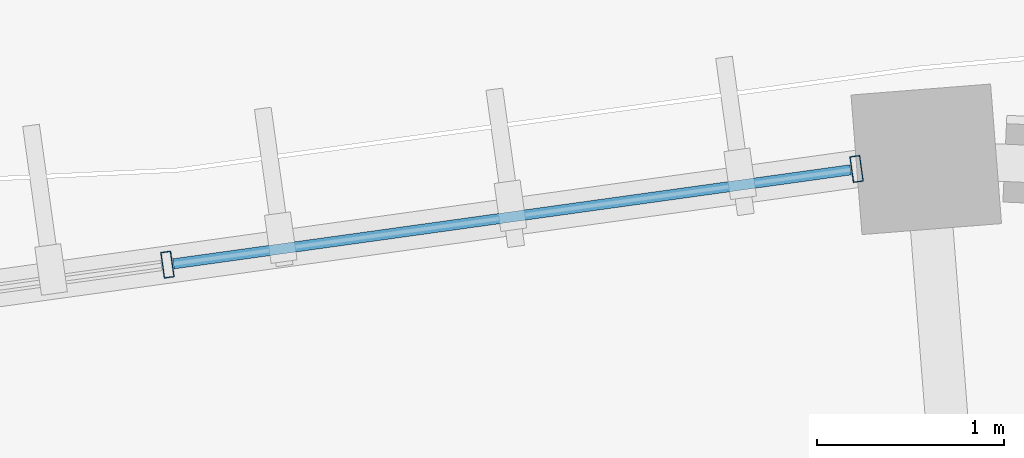
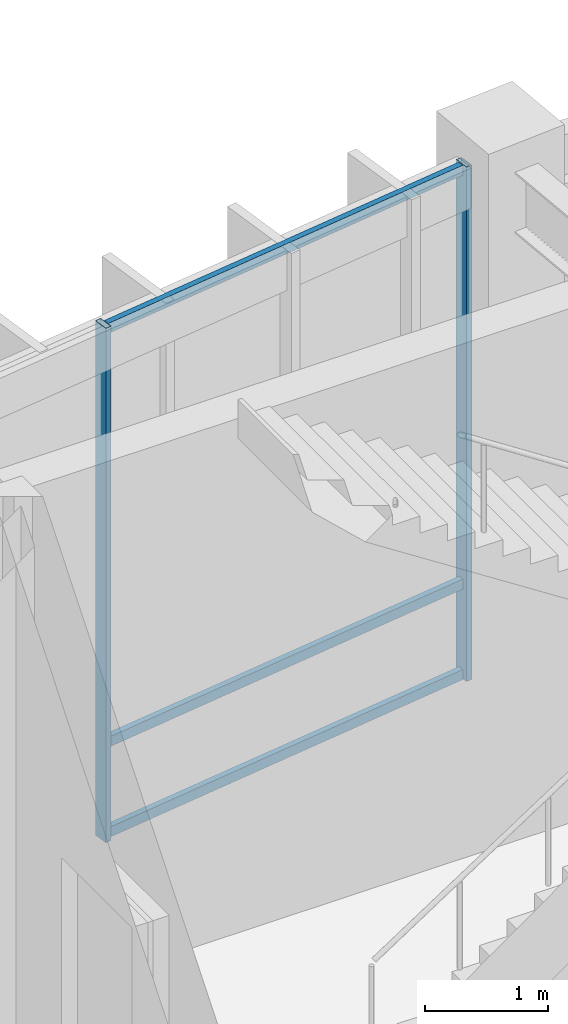
# One storey, part 75 of 157: 5 members, 1 element without a shape of its own.
"""IFC4 building model written with IfcOpenShell, lengths in metres."""

import ifcopenshell
import ifcopenshell.guid

model = None  # the IFC model being written
_history = None  # IfcOwnerHistory: only IFC2X3 demands one
_inside = {}  # id of a spatial element -> (the spatial element, [elements in it])
_under = {}  # id of a project, library or spatial element -> (it, [spatial elements below it])
_declared = {}  # id of a project -> (the project, [libraries it declares])
_typed = {}  # id of a type object -> (the type object, [elements of that type])
_made_of = {}  # id of a material, layer set ... -> (it, [elements and type objects made of it])


def new_model(schema):
    """Start an empty IFC model of exactly this schema.

    Asked for "IFC4X3", IfcOpenShell would pick the latest addendum, in which some entities
    have other attributes; the version numbers below select the first issue.
    IFC2X3 requires an IfcOwnerHistory on every rooted entity: one is made here for all.
    """
    global model, _history
    if schema == "IFC4X3":
        model = ifcopenshell.file(schema_version=(4, 3, 0, 0))
    else:
        model = ifcopenshell.file(schema=schema)
    _inside.clear()
    _under.clear()
    _declared.clear()
    _typed.clear()
    _made_of.clear()
    _history = None
    if model.schema == "IFC2X3":
        org = make("IfcOrganization", Name="unknown")
        user = make(
            "IfcPersonAndOrganization",
            ThePerson=make("IfcPerson", FamilyName="unknown"),
            TheOrganization=org,
        )
        app = make(
            "IfcApplication",
            ApplicationDeveloper=org,
            Version="unknown",
            ApplicationFullName="unknown",
            ApplicationIdentifier="unknown",
        )
        _history = make(
            "IfcOwnerHistory",
            OwningUser=user,
            OwningApplication=app,
            ChangeAction="ADDED",
            CreationDate=0,
        )
    return model


def make(cls, **values):
    """One entity of the class cls with the attributes given. An attribute that is None is left unset."""
    return model.create_entity(
        cls, **{name: value for name, value in values.items() if value is not None}
    )


def rooted(cls, **values):
    """An entity with a GlobalId (a new one), such as an element, a storey or a relation."""
    return make(cls, GlobalId=ifcopenshell.guid.new(), OwnerHistory=_history, **values)


def si_unit(unit_type, name, prefix=None):
    """IfcSIUnit, for example si_unit("LENGTHUNIT", "METRE", prefix="MILLI")."""
    return make("IfcSIUnit", UnitType=unit_type, Prefix=prefix, Name=name)


def assignment(units):
    """IfcUnitAssignment: the units of a project."""
    return None if units is None else make("IfcUnitAssignment", Units=units)


def point(xyz):
    """IfcCartesianPoint."""
    return None if xyz is None else make("IfcCartesianPoint", Coordinates=xyz)


def direction(xyz):
    """IfcDirection."""
    return None if xyz is None else make("IfcDirection", DirectionRatios=xyz)


def frame(location, z_axis=None, x_axis=None):
    """IfcAxis2Placement3D, a coordinate frame: its origin and axes. An axis left out is left unset."""
    return make(
        "IfcAxis2Placement3D",
        Location=point(location),
        Axis=direction(z_axis),
        RefDirection=direction(x_axis),
    )


def frame_2d(location, x_axis=None):
    """IfcAxis2Placement2D, a coordinate frame in the plane: its origin and x axis."""
    return make(
        "IfcAxis2Placement2D", Location=point(location), RefDirection=direction(x_axis)
    )


def origin():
    """The frame at (0, 0, 0) with its axes left unset."""
    return frame((0.0, 0.0, 0.0))


def origin_2d():
    """The frame at (0, 0) in the plane with its x axis left unset."""
    return frame_2d((0.0, 0.0))


def place(relative_to, where):
    """IfcLocalPlacement: puts the frame where relative to a parent placement (None: the world)."""
    return make(
        "IfcLocalPlacement", PlacementRelTo=relative_to, RelativePlacement=where
    )


def context(
    kind, dimensions, precision=None, world=None, true_north=None, identifier=None
):
    """IfcGeometricRepresentationContext, for example the 3D "Model" context."""
    return make(
        "IfcGeometricRepresentationContext",
        ContextIdentifier=identifier,
        ContextType=kind,
        CoordinateSpaceDimension=dimensions,
        Precision=precision,
        WorldCoordinateSystem=world,
        TrueNorth=true_north,
    )


def subcontext(parent, identifier, kind, view, scale=None):
    """IfcGeometricRepresentationSubContext, for example "Body" below "Model"."""
    return make(
        "IfcGeometricRepresentationSubContext",
        ContextIdentifier=identifier,
        ContextType=kind,
        ParentContext=parent,
        TargetScale=scale,
        TargetView=view,
    )


def project(units=None, contexts=None):
    """IfcProject with its units and contexts."""
    return rooted(
        "IfcProject",
        Name="project",
        RepresentationContexts=contexts,
        UnitsInContext=assignment(units),
    )


def spatial(cls, under=None, at=None, **own):
    """A site, building, storey or space (cls), placed at a placement, below another one or the project."""
    s = rooted(cls, ObjectPlacement=at, **own)
    if under is not None:
        _under.setdefault(under.id(), (under, []))[1].append(s)
    return s


def profile(cls, at=None, kind="AREA", **sizes):
    """A parametric profile (cls). Its sizes go by their IFC names, for example OverallWidth=200.0."""
    return make(cls, ProfileType=kind, Position=at, **sizes)


def hollow_rectangle(**sizes):
    """IfcRectangleHollowProfileDef."""
    return profile("IfcRectangleHollowProfileDef", **sizes)


def extrude(swept, where, along, depth):
    """IfcExtrudedAreaSolid: the profile swept, set in the frame where, extruded along a direction by depth."""
    return make(
        "IfcExtrudedAreaSolid",
        SweptArea=swept,
        Position=where,
        ExtrudedDirection=direction(along),
        Depth=depth,
    )


def shape(context_of_items, identifier, shape_type, items):
    """IfcShapeRepresentation: the items that make up one representation, for example the "Body"."""
    return make(
        "IfcShapeRepresentation",
        ContextOfItems=context_of_items,
        RepresentationIdentifier=identifier,
        RepresentationType=shape_type,
        Items=items,
    )


def material(Name=None, Category=None):
    """IfcMaterial."""
    return make("IfcMaterial", Name=Name, Category=Category)


def material_profile(
    of_material, cross_section, Name=None, Category=None, Priority=None
):
    """IfcMaterialProfile: a cross section and its material."""
    return make(
        "IfcMaterialProfile",
        Name=Name,
        Material=of_material,
        Profile=cross_section,
        Priority=Priority,
        Category=Category,
    )


def profile_set(profiles, Name=None, composite=None):
    """IfcMaterialProfileSet."""
    return make(
        "IfcMaterialProfileSet",
        Name=Name,
        MaterialProfiles=profiles,
        CompositeProfile=composite,
    )


def made_of(thing, what):
    """Note that an element or type object is made of a material, layer set ...; save() writes the relation."""
    if what is not None:
        _made_of.setdefault(what.id(), (what, []))[1].append(thing)
    return thing


def type_object(cls, material=None, **own):
    """A type object (cls), such as IfcWallType, which elements share."""
    return made_of(rooted(cls, **own), material)


def element(
    cls,
    number,
    at=None,
    inside=None,
    cuts=None,
    type_object=None,
    material=None,
    context=None,
    identifier="Body",
    shape_type=None,
    held_by="IfcProductDefinitionShape",
    body=None,
    shapes=None,
    **own,
):
    """One element of the class cls, such as IfcWall. Its Tag is "e" and its number.

    at: its placement. inside: the storey or other place that contains it. cuts: it is an
    opening in that element (IfcRelVoidsElement). A single representation is given by context,
    identifier, shape_type and body (its items); several are given by shapes. held_by: the class
    of the entity that holds the representations. save() writes the other relations.
    """
    e = rooted(cls, Tag="e%d" % number, ObjectPlacement=at, **own)
    if body is not None:
        shapes = [shape(context, identifier, shape_type, body)]
    if shapes is not None:
        e.Representation = make(held_by, Representations=shapes)
    if inside is not None:
        _inside.setdefault(inside.id(), (inside, []))[1].append(e)
    if cuts is not None:
        rooted(
            "IfcRelVoidsElement", RelatingBuildingElement=cuts, RelatedOpeningElement=e
        )
    if type_object is not None:
        _typed.setdefault(type_object.id(), (type_object, []))[1].append(e)
    return made_of(e, material)


def aggregate(whole, parts):
    """IfcRelAggregates: a whole, such as a stair, and the parts it consists of."""
    return rooted("IfcRelAggregates", RelatingObject=whole, RelatedObjects=parts)


def save(model, path):
    """Write the relations noted so far, then the file.

    IfcRelAggregates (storeys below a building ...), IfcRelContainedInSpatialStructure (elements
    in a storey), IfcRelDefinesByType, IfcRelAssociatesMaterial and IfcRelDeclares: one each for
    every whole, place, type object, material and project.
    """
    for whole, parts in _under.values():
        aggregate(whole, parts)
    for where, things in _inside.values():
        rooted(
            "IfcRelContainedInSpatialStructure",
            RelatedElements=things,
            RelatingStructure=where,
        )
    for kind, things in _typed.values():
        rooted("IfcRelDefinesByType", RelatedObjects=things, RelatingType=kind)
    for what, things in _made_of.values():
        rooted("IfcRelAssociatesMaterial", RelatedObjects=things, RelatingMaterial=what)
    for by, libraries in _declared.values():
        rooted("IfcRelDeclares", RelatingContext=by, RelatedDefinitions=libraries)
    model.write(path)


model = new_model("IFC4")

# Units and contexts
model_context = context("Model", 3, precision=1e-05, world=origin(), true_north=direction((0.0, 1.0)))
body_context = subcontext(model_context, "Body", "Model", "MODEL_VIEW")
ifc_project = project(units=[si_unit("LENGTHUNIT", "METRE"), si_unit("AREAUNIT", "SQUARE_METRE"), si_unit("VOLUMEUNIT", "CUBIC_METRE"), si_unit("PLANEANGLEUNIT", "RADIAN"), si_unit("MASSUNIT", "GRAM", prefix="KILO"), si_unit("THERMODYNAMICTEMPERATUREUNIT", "KELVIN"), si_unit("POWERUNIT", "WATT")], contexts=[model_context])

# Site, building, storey
site_placement = place(None, origin())
site = spatial("IfcSite", under=ifc_project, at=site_placement, CompositionType="ELEMENT")
building_placement = place(site_placement, origin())
building = spatial("IfcBuilding", under=site, at=building_placement, Name="Darbajah Civic Hall", CompositionType="ELEMENT")
storey_placement = place(building_placement, origin())
storey = spatial("IfcBuildingStorey", under=building, at=storey_placement, Name="L00", CompositionType="ELEMENT", Elevation=0.0)

# Curtain wall, members
ifc_material_1 = material(Name="Anodised Bronze Aluminium and Low-E Glazing", Category="aluminium")
curtain_wall_type = type_object("IfcCurtainWallType", Name="Unitised Curtain Wall CW-05 14900x5100", PredefinedType="USERDEFINED", material=ifc_material_1)
curtain_wall_placement = place(storey_placement, origin())
curtain_wall = element("IfcCurtainWall", 1, at=curtain_wall_placement, inside=storey, type_object=curtain_wall_type, Name="L00 unitised curtain wall CW-V1O-L00-05", ObjectType="UNITISED CURTAIN WALL", PredefinedType="USERDEFINED")
ifc_material_2 = material(Name="Anodised Bronze Aluminium", Category="aluminium")
ifc_material_profile_1 = material_profile(ifc_material_2, hollow_rectangle(XDim=0.054931640625, YDim=0.139892578125, WallThickness=0.003173828125, at=origin_2d()), Name="ALU MULLION 55x140")
ifc_profile_set_1 = profile_set([ifc_material_profile_1], Name="Anodised Bronze Aluminium")
member_type_1 = type_object("IfcMemberType", Name="ALU MULLION 55x140", PredefinedType="MULLION", material=ifc_profile_set_1)
member_1_placement = place(storey_placement, frame((84.72509765625, 119.1572265625, 0.0), z_axis=(0.0, 0.0, 1.0), x_axis=(-0.990485459553, -0.137617420457, 0.0)))
member_1 = element("IfcMember", 2, at=member_1_placement, type_object=member_type_1, Name="CW-V1O-L00-05 mullion 1", PredefinedType="MULLION", context=body_context, shape_type="SweptSolid", body=[
    extrude(hollow_rectangle(XDim=0.054931640625, YDim=0.139892578125, WallThickness=0.003173828125, at=origin_2d()), origin(), (0.0, 0.0, 1.0), 5.1201171875),
])
member_2_placement = place(storey_placement, frame((81.032958984375, 118.64453125, 0.0), z_axis=(0.0, 0.0, 1.0), x_axis=(-0.990485459553, -0.137617420457, 0.0)))
member_2 = element("IfcMember", 3, at=member_2_placement, type_object=member_type_1, Name="CW-V1O-L00-05 mullion 2", PredefinedType="MULLION", context=body_context, shape_type="SweptSolid", body=[
    extrude(hollow_rectangle(XDim=0.054931640625, YDim=0.139892578125, WallThickness=0.003173828125, at=origin_2d()), origin(), (0.0, 0.0, 1.0), 5.1201171875),
])
ifc_material_profile_2 = material_profile(ifc_material_2, hollow_rectangle(XDim=0.054931640625, YDim=0.10009765625, WallThickness=0.0029296875, at=origin_2d()), Name="ALU TRANSOM 55x100")
ifc_profile_set_2 = profile_set([ifc_material_profile_2], Name="Anodised Bronze Aluminium")
member_type_2 = type_object("IfcMemberType", Name="ALU TRANSOM 55x100", PredefinedType="USERDEFINED", material=ifc_profile_set_2)
member_3_placement = place(storey_placement, frame((84.693115234375, 119.152587890625, 0.050048828125), z_axis=(-0.990500344807, -0.137510243024, 0.0), x_axis=(0.137510243024, -0.990500344807, 0.0)))
member_3 = element("IfcMember", 4, at=member_3_placement, type_object=member_type_2, Name="CW-V1O-L00-05 transom 1.1", ObjectType="TRANSOM", PredefinedType="USERDEFINED", context=body_context, shape_type="SweptSolid", body=[
    extrude(hollow_rectangle(XDim=0.054931640625, YDim=0.10009765625, WallThickness=0.0029296875, at=origin_2d()), origin(), (0.0, 0.0, 1.0), 3.662841796875),
])
member_4_placement = place(storey_placement, frame((84.693115234375, 119.152587890625, 0.949951171875), z_axis=(-0.990500344807, -0.137510243024, 0.0), x_axis=(0.137510243024, -0.990500344807, 0.0)))
member_4 = element("IfcMember", 5, at=member_4_placement, type_object=member_type_2, Name="CW-V1O-L00-05 transom 1.2", ObjectType="TRANSOM", PredefinedType="USERDEFINED", context=body_context, shape_type="SweptSolid", body=[
    extrude(hollow_rectangle(XDim=0.054931640625, YDim=0.10009765625, WallThickness=0.0029296875, at=origin_2d()), origin(), (0.0, 0.0, 1.0), 3.662841796875),
])
member_5_placement = place(storey_placement, frame((84.693115234375, 119.152587890625, 5.070068359375), z_axis=(-0.990500344807, -0.137510243024, 0.0), x_axis=(0.137510243024, -0.990500344807, 0.0)))
member_5 = element("IfcMember", 6, at=member_5_placement, type_object=member_type_2, Name="CW-V1O-L00-05 transom 1.3", ObjectType="TRANSOM", PredefinedType="USERDEFINED", context=body_context, shape_type="SweptSolid", body=[
    extrude(hollow_rectangle(XDim=0.054931640625, YDim=0.10009765625, WallThickness=0.0029296875, at=origin_2d()), origin(), (0.0, 0.0, 1.0), 3.662841796875),
])
aggregate(curtain_wall, [member_1, member_2, member_3, member_4, member_5])

save(model, "model.ifc")
